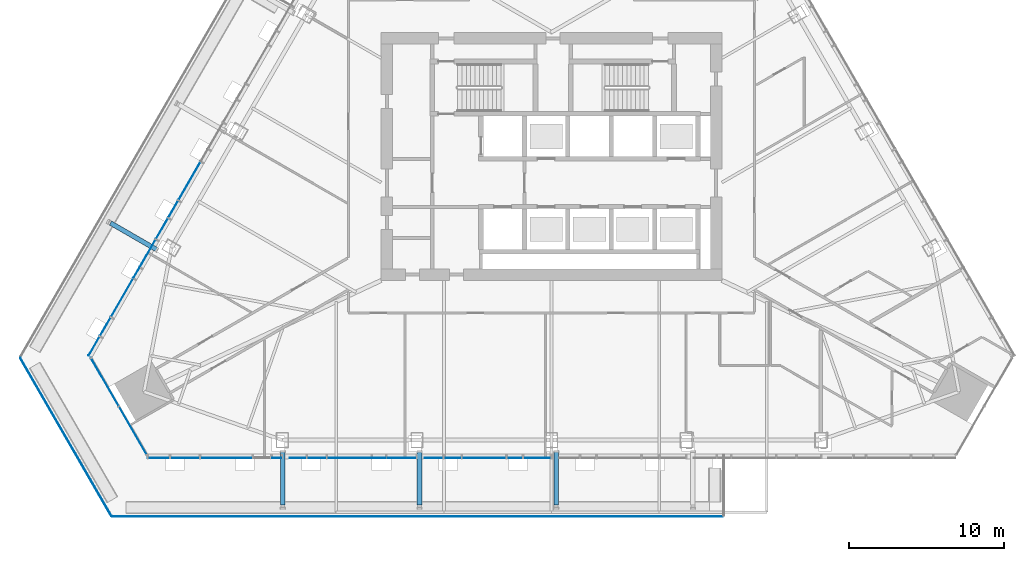
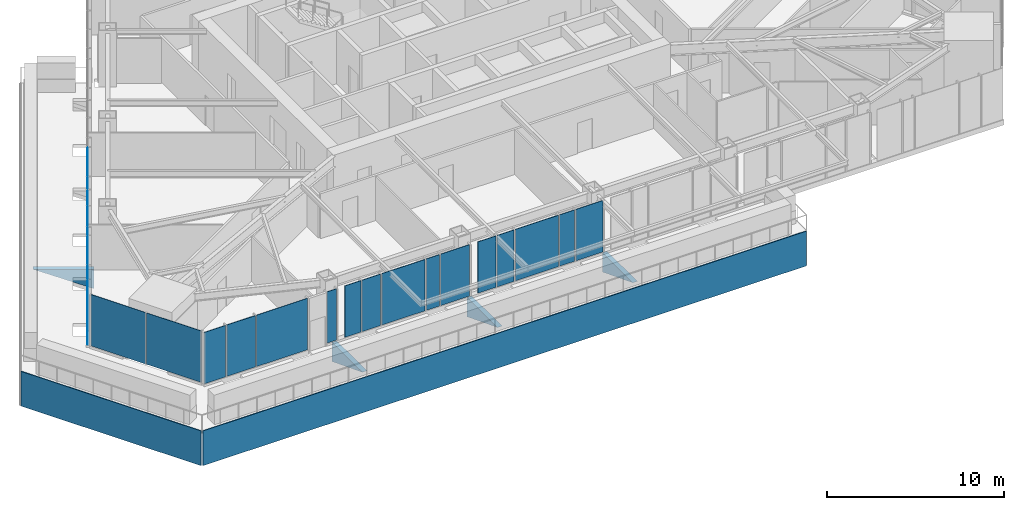
# One storey, part 10 of 23: 30 plates, 3 elements without a shape of their own.
"""IFC4 building model written with IfcOpenShell, lengths in metres."""

from ifc_helpers import new_model, si_unit, direction, frame, origin, place, context, subcontext, project, spatial, polyline, outline, extrude, material, layer, layer_set, type_object, element, aggregate, save


model = new_model("IFC4")

# Units and contexts
model_context = context("Model", 3, precision=1e-05, world=origin(), true_north=direction((0.0, 1.0)))
body_context = subcontext(model_context, "Body", "Model", "MODEL_VIEW")
ifc_project = project(units=[si_unit("LENGTHUNIT", "METRE"), si_unit("AREAUNIT", "SQUARE_METRE"), si_unit("VOLUMEUNIT", "CUBIC_METRE"), si_unit("PLANEANGLEUNIT", "RADIAN"), si_unit("MASSUNIT", "GRAM", prefix="KILO")], contexts=[model_context])

# Site, building, storey
site_placement = place(None, origin())
site = spatial("IfcSite", under=ifc_project, at=site_placement, CompositionType="ELEMENT")
building_placement = place(site_placement, origin())
building = spatial("IfcBuilding", under=site, at=building_placement, Name="Firuza Gate Tower and Library", CompositionType="ELEMENT")
storey_placement = place(building_placement, frame((0.0, 0.0, 190.89990234375)))
storey = spatial("IfcBuildingStorey", under=building, at=storey_placement, Name="L44", CompositionType="ELEMENT", Elevation=190.89990234375)

# Curtain wall, plates
ifc_material_1 = material(Name="Aluminium 6063-T6", Category="aluminium")
ifc_layer_1 = layer(ifc_material_1, 0.14990234375)
ifc_layer_set_1 = layer_set([ifc_layer_1], Name="Corner curtain wall, chamfers")
curtain_wall_type_1 = type_object("IfcCurtainWallType", Name="Corner curtain wall, chamfers", PredefinedType="NOTDEFINED", material=ifc_layer_set_1)
placement = place(storey_placement, origin())
curtain_wall_1 = element("IfcCurtainWall", 1, at=placement, inside=storey, type_object=curtain_wall_type_1, Name="CW4 L44 SW corner", PredefinedType="NOTDEFINED")
ifc_material_2 = material(Name="Fritted glass", Category="glass")
ifc_layer_2 = layer(ifc_material_2, 0.030029296875)
ifc_layer_set_2 = layer_set([ifc_layer_2], Name="Fritted glass unit, corners")
plate_type_1 = type_object("IfcPlateType", Name="Fritted glass unit, corners", PredefinedType="CURTAIN_PANEL", material=ifc_layer_set_2)
plate_1_placement = place(storey_placement, frame((45.262939453125, 61.9921875, 0.150146484375), z_axis=(-0.866016723041, -0.500015035186, 0.0), x_axis=(0.500015035186, -0.866016723041, 0.0)))
plate_1 = element("IfcPlate", 2, at=plate_1_placement, type_object=plate_type_1, Name="Glass unit", PredefinedType="CURTAIN_PANEL", context=body_context, shape_type="SweptSolid", body=[
    extrude(outline(polyline([(0.0, 0.0), (3.5633694106530625, 0.0), (3.5633694106530625, 3.550048828125), (0.0, 3.550048828125), (0.0, 0.0)])), origin(), (0.0, 0.0, -1.0), 0.030029296875),
])
plate_2_placement = place(storey_placement, frame((47.084716796875, 58.8369140625, 0.150146484375), z_axis=(-0.866016723041, -0.500015035186, 0.0), x_axis=(0.500015035186, -0.866016723041, 0.0)))
plate_2 = element("IfcPlate", 3, at=plate_2_placement, type_object=plate_type_1, Name="Glass unit", PredefinedType="CURTAIN_PANEL", context=body_context, shape_type="SweptSolid", body=[
    extrude(outline(polyline([(0.0, 0.0), (3.5633694106530625, 0.0), (3.5633694106530625, 3.550048828125), (0.0, 3.550048828125), (0.0, 0.0)])), origin(), (0.0, 0.0, -1.0), 0.030029296875),
])
aggregate(curtain_wall_1, [plate_1, plate_2])

ifc_material_3 = material(Name="Aluminium 6063-T6", Category="aluminium")
ifc_layer_3 = layer(ifc_material_3, 0.14990234375)
ifc_layer_set_3 = layer_set([ifc_layer_3], Name="Unitised curtain wall, hotel")
curtain_wall_type_2 = type_object("IfcCurtainWallType", Name="Unitised curtain wall, hotel", PredefinedType="NOTDEFINED", material=ifc_layer_set_3)
curtain_wall_2 = element("IfcCurtainWall", 4, at=placement, inside=storey, type_object=curtain_wall_type_2, Name="CW2 L44 S face", PredefinedType="NOTDEFINED")
ifc_material_4 = material(Name="Fritted glass", Category="glass")
ifc_layer_4 = layer(ifc_material_4, 0.030029296875)
ifc_layer_set_4 = layer_set([ifc_layer_4], Name="Fritted glass unit, hotel")
plate_type_2 = type_object("IfcPlateType", Name="Fritted glass unit, hotel", PredefinedType="CURTAIN_PANEL", material=ifc_layer_set_4)
plate_3_placement = place(storey_placement, frame((48.939453125, 55.538818359375, 0.150146484375), z_axis=(0.0, -1.0, 0.0), x_axis=(1.0, 0.0, 0.0)))
plate_3 = element("IfcPlate", 5, at=plate_3_placement, type_object=plate_type_2, Name="Glass unit", PredefinedType="CURTAIN_PANEL", context=body_context, shape_type="SweptSolid", body=[
    extrude(outline(polyline([(0.0, 0.0), (1.392578125, 0.0), (1.392578125, 3.550048828125), (0.0, 3.550048828125), (0.0, 0.0)])), origin(), (0.0, 0.0, -1.0), 0.030029296875),
])
plate_4_placement = place(storey_placement, frame((56.959228515625, 55.538818359375, 0.150146484375), z_axis=(0.0, -1.0, 0.0), x_axis=(1.0, 0.0, 0.0)))
plate_4 = element("IfcPlate", 6, at=plate_4_placement, type_object=plate_type_2, Name="Glass unit", PredefinedType="CURTAIN_PANEL", context=body_context, shape_type="SweptSolid", body=[
    extrude(outline(polyline([(0.0, 0.0), (0.600341796875, 0.0), (0.600341796875, 3.550048828125), (0.0, 3.550048828125), (0.0, 0.0)])), origin(), (0.0, 0.0, -1.0), 0.030029296875),
])
plate_5_placement = place(storey_placement, frame((58.115478515625, 55.538818359375, 0.150146484375), z_axis=(0.0, -1.0, 0.0), x_axis=(1.0, 0.0, 0.0)))
plate_5 = element("IfcPlate", 7, at=plate_5_placement, type_object=plate_type_2, Name="Glass unit", PredefinedType="CURTAIN_PANEL", context=body_context, shape_type="SweptSolid", body=[
    extrude(outline(polyline([(0.0, 0.0), (1.04052734375, 0.0), (1.04052734375, 3.550048828125), (0.0, 3.550048828125), (0.0, 0.0)])), origin(), (0.0, 0.0, -1.0), 0.030029296875),
])
plate_6_placement = place(storey_placement, frame((64.37255859375, 55.538818359375, 0.150146484375), z_axis=(0.0, -1.0, 0.0), x_axis=(1.0, 0.0, 0.0)))
plate_6 = element("IfcPlate", 8, at=plate_6_placement, type_object=plate_type_2, Name="Glass unit", PredefinedType="CURTAIN_PANEL", context=body_context, shape_type="SweptSolid", body=[
    extrude(outline(polyline([(0.0, 0.0), (1.88720703125, 0.0), (1.88720703125, 3.550048828125), (0.0, 3.550048828125), (0.0, 0.0)])), origin(), (0.0, 0.0, -1.0), 0.030029296875),
])
plate_7_placement = place(storey_placement, frame((66.80126953125, 55.538818359375, 0.150146484375), z_axis=(0.0, -1.0, 0.0), x_axis=(1.0, 0.0, 0.0)))
plate_7 = element("IfcPlate", 9, at=plate_7_placement, type_object=plate_type_2, Name="Glass unit", PredefinedType="CURTAIN_PANEL", context=body_context, shape_type="SweptSolid", body=[
    extrude(outline(polyline([(0.0, 0.0), (1.178466796875, 0.0), (1.178466796875, 3.550048828125), (0.0, 3.550048828125), (0.0, 0.0)])), origin(), (0.0, 0.0, -1.0), 0.030029296875),
])
plate_8_placement = place(storey_placement, frame((73.1962890625, 55.538818359375, 0.150146484375), z_axis=(0.0, -1.0, 0.0), x_axis=(1.0, 0.0, 0.0)))
plate_8 = element("IfcPlate", 10, at=plate_8_placement, type_object=plate_type_2, Name="Glass unit", PredefinedType="CURTAIN_PANEL", context=body_context, shape_type="SweptSolid", body=[
    extrude(outline(polyline([(0.0, 0.0), (1.763671875, 0.0), (1.763671875, 3.550048828125), (0.0, 3.550048828125), (0.0, 0.0)])), origin(), (0.0, 0.0, -1.0), 0.030029296875),
])

curtain_wall_3 = element("IfcCurtainWall", 11, at=placement, inside=storey, type_object=curtain_wall_type_2, Name="CW2 L44 W face", PredefinedType="NOTDEFINED")
plate_9_placement = place(storey_placement, frame((50.22412109375, 71.00927734375, 0.150146484375), z_axis=(-0.865995223251, 0.500052270574, 0.0), x_axis=(-0.500052270574, -0.865995223251, 0.0)))
plate_9 = element("IfcPlate", 12, at=plate_9_placement, type_object=plate_type_2, Name="Glass unit", PredefinedType="CURTAIN_PANEL", context=body_context, shape_type="SweptSolid", body=[
    extrude(outline(polyline([(0.0, 0.0), (1.5164430318043731, 0.0), (1.5164430318043731, 3.550048828125), (0.0, 3.550048828125), (0.0, 0.0)])), origin(), (0.0, 0.0, -1.0), 0.030029296875),
])
plate_10_placement = place(storey_placement, frame((49.426025390625, 69.626708984375, 0.150146484375), z_axis=(-0.865985419867, 0.500069247782, 0.0), x_axis=(-0.500069247782, -0.865985419867, 0.0)))
plate_10 = element("IfcPlate", 13, at=plate_10_placement, type_object=plate_type_2, Name="Glass unit", PredefinedType="CURTAIN_PANEL", context=body_context, shape_type="SweptSolid", body=[
    extrude(outline(polyline([(0.0, 0.0), (2.0109519608221467, 0.0), (2.0109519608221467, 3.550048828125), (0.0, 3.550048828125), (0.0, 0.0)])), origin(), (0.0, 0.0, -1.0), 0.030029296875),
])
plate_11_placement = place(storey_placement, frame((45.812255859375, 63.36767578125, 0.150146484375), z_axis=(-0.866001699761, 0.500041054325, 0.0), x_axis=(-0.500041054325, -0.866001699761, 0.0)))
plate_11 = element("IfcPlate", 14, at=plate_11_placement, type_object=plate_type_2, Name="Glass unit", PredefinedType="CURTAIN_PANEL", context=body_context, shape_type="SweptSolid", body=[
    extrude(outline(polyline([(0.0, 0.0), (1.3929520328393656, 0.0), (1.3929520328393656, 3.550048828125), (0.0, 3.550048828125), (0.0, 0.0)])), origin(), (0.0, 0.0, -1.0), 0.030029296875),
])

# Plate
ifc_material_5 = material(Name="Glazed ceramic tile")
ifc_layer_5 = layer(ifc_material_5, 0.030029296875)
ifc_layer_set_5 = layer_set([ifc_layer_5], Name="Opaque ceramic panel, hotel")
plate_type_3 = type_object("IfcPlateType", Name="Opaque ceramic panel, hotel", PredefinedType="CURTAIN_PANEL", material=ifc_layer_set_5)
plate_12_placement = place(storey_placement, frame((50.412109375, 55.538818359375, 0.150146484375), z_axis=(0.0, -1.0, 0.0), x_axis=(1.0, 0.0, 0.0)))
plate_12 = element("IfcPlate", 15, at=plate_12_placement, type_object=plate_type_3, Name="Opaque ceramic panel", PredefinedType="CURTAIN_PANEL", context=body_context, shape_type="SweptSolid", body=[
    extrude(outline(polyline([(0.0, 0.0), (1.857177734375, 0.0), (1.857177734375, 3.550048828125), (0.0, 3.550048828125), (0.0, 0.0)])), origin(), (0.0, 0.0, -1.0), 0.030029296875),
])

plate_13_placement = place(storey_placement, frame((52.349365234375, 55.538818359375, 0.150146484375), z_axis=(0.0, -1.0, 0.0), x_axis=(1.0, 0.0, 0.0)))
plate_13 = element("IfcPlate", 16, at=plate_13_placement, type_object=plate_type_3, Name="Opaque ceramic panel", PredefinedType="CURTAIN_PANEL", context=body_context, shape_type="SweptSolid", body=[
    extrude(outline(polyline([(0.0, 0.0), (3.330078125, 0.0), (3.330078125, 3.550048828125), (0.0, 3.550048828125), (0.0, 0.0)])), origin(), (0.0, 0.0, -1.0), 0.030029296875),
])

plate_14_placement = place(storey_placement, frame((59.236083984375, 55.538818359375, 0.150146484375), z_axis=(0.0, -1.0, 0.0), x_axis=(1.0, 0.0, 0.0)))
plate_14 = element("IfcPlate", 17, at=plate_14_placement, type_object=plate_type_3, Name="Opaque ceramic panel", PredefinedType="CURTAIN_PANEL", context=body_context, shape_type="SweptSolid", body=[
    extrude(outline(polyline([(0.0, 0.0), (1.2236328125, 0.0), (1.2236328125, 3.550048828125), (0.0, 3.550048828125), (0.0, 0.0)])), origin(), (0.0, 0.0, -1.0), 0.030029296875),
])

plate_15_placement = place(storey_placement, frame((60.53955078125, 55.538818359375, 0.150146484375), z_axis=(0.0, -1.0, 0.0), x_axis=(1.0, 0.0, 0.0)))
plate_15 = element("IfcPlate", 18, at=plate_15_placement, type_object=plate_type_3, Name="Opaque ceramic panel", PredefinedType="CURTAIN_PANEL", context=body_context, shape_type="SweptSolid", body=[
    extrude(outline(polyline([(0.0, 0.0), (2.820068359375, 0.0), (2.820068359375, 3.550048828125), (0.0, 3.550048828125), (0.0, 0.0)])), origin(), (0.0, 0.0, -1.0), 0.030029296875),
])

plate_16_placement = place(storey_placement, frame((63.439697265625, 55.538818359375, 0.150146484375), z_axis=(0.0, -1.0, 0.0), x_axis=(1.0, 0.0, 0.0)))
plate_16 = element("IfcPlate", 19, at=plate_16_placement, type_object=plate_type_3, Name="Opaque ceramic panel", PredefinedType="CURTAIN_PANEL", context=body_context, shape_type="SweptSolid", body=[
    extrude(outline(polyline([(0.0, 0.0), (0.852783203125, 0.0), (0.852783203125, 3.550048828125), (0.0, 3.550048828125), (0.0, 0.0)])), origin(), (0.0, 0.0, -1.0), 0.030029296875),
])

plate_17_placement = place(storey_placement, frame((68.059814453125, 55.538818359375, 0.150146484375), z_axis=(0.0, -1.0, 0.0), x_axis=(1.0, 0.0, 0.0)))
plate_17 = element("IfcPlate", 20, at=plate_17_placement, type_object=plate_type_3, Name="Opaque ceramic panel", PredefinedType="CURTAIN_PANEL", context=body_context, shape_type="SweptSolid", body=[
    extrude(outline(polyline([(0.0, 0.0), (1.10009765625, 0.0), (1.10009765625, 3.550048828125), (0.0, 3.550048828125), (0.0, 0.0)])), origin(), (0.0, 0.0, -1.0), 0.030029296875),
])

plate_18_placement = place(storey_placement, frame((69.23974609375, 55.538818359375, 0.150146484375), z_axis=(0.0, -1.0, 0.0), x_axis=(1.0, 0.0, 0.0)))
plate_18 = element("IfcPlate", 21, at=plate_18_placement, type_object=plate_type_3, Name="Opaque ceramic panel", PredefinedType="CURTAIN_PANEL", context=body_context, shape_type="SweptSolid", body=[
    extrude(outline(polyline([(0.0, 0.0), (2.820068359375, 0.0), (2.820068359375, 3.550048828125), (0.0, 3.550048828125), (0.0, 0.0)])), origin(), (0.0, 0.0, -1.0), 0.030029296875),
])

plate_19_placement = place(storey_placement, frame((72.139892578125, 55.538818359375, 0.150146484375), z_axis=(0.0, -1.0, 0.0), x_axis=(1.0, 0.0, 0.0)))
plate_19 = element("IfcPlate", 22, at=plate_19_placement, type_object=plate_type_3, Name="Opaque ceramic panel", PredefinedType="CURTAIN_PANEL", context=body_context, shape_type="SweptSolid", body=[
    extrude(outline(polyline([(0.0, 0.0), (0.976318359375, 0.0), (0.976318359375, 3.550048828125), (0.0, 3.550048828125), (0.0, 0.0)])), origin(), (0.0, 0.0, -1.0), 0.030029296875),
])

aggregate(curtain_wall_2, [plate_3, plate_12, plate_13, plate_4, plate_5, plate_14, plate_15, plate_16, plate_6, plate_7, plate_17, plate_18, plate_19, plate_8])

plate_20_placement = place(storey_placement, frame((52.325927734375, 74.64990234375, 0.150146484375), z_axis=(-0.866055844559, 0.499947271324, 0.0), x_axis=(-0.499947271324, -0.866055844559, 0.0)))
plate_20 = element("IfcPlate", 23, at=plate_20_placement, type_object=plate_type_3, Name="Opaque ceramic panel", PredefinedType="CURTAIN_PANEL", context=body_context, shape_type="SweptSolid", body=[
    extrude(outline(polyline([(0.0, 0.0), (2.820121621306016, 0.0), (2.820121621306016, 3.550048828125), (0.0, 3.550048828125), (0.0, 0.0)])), origin(), (0.0, 0.0, -1.0), 0.030029296875),
])

plate_21_placement = place(storey_placement, frame((50.8759765625, 72.13818359375, 0.150146484375), z_axis=(-0.865999496279, 0.500044870432, 0.0), x_axis=(-0.500044870432, -0.865999496279, 0.0)))
plate_21 = element("IfcPlate", 24, at=plate_21_placement, type_object=plate_type_3, Name="Opaque ceramic panel", PredefinedType="CURTAIN_PANEL", context=body_context, shape_type="SweptSolid", body=[
    extrude(outline(polyline([(0.0, 0.0), (1.2235230124881236, 0.0), (1.2235230124881236, 3.550048828125001), (0.0, 3.550048828125001), (0.0, 0.0)])), origin(), (0.0, 0.0, -1.0), 0.030029296875),
])

plate_22_placement = place(storey_placement, frame((48.38037109375, 67.81591796875, 0.150146484375), z_axis=(-0.866029434536, 0.499993018469, 0.0), x_axis=(-0.499993018469, -0.866029434536, 0.0)))
plate_22 = element("IfcPlate", 25, at=plate_22_placement, type_object=plate_type_3, Name="Opaque ceramic panel", PredefinedType="CURTAIN_PANEL", context=body_context, shape_type="SweptSolid", body=[
    extrude(outline(polyline([(0.0, 0.0), (0.7290140855184541, 0.0), (0.7290140855184541, 3.550048828125), (0.0, 3.550048828125), (0.0, 0.0)])), origin(), (0.0, 0.0, -1.0), 0.030029296875),
])

plate_23_placement = place(storey_placement, frame((47.975830078125, 67.115234375, 0.150146484375), z_axis=(-0.866055844559, 0.499947271324, 0.0), x_axis=(-0.499947271324, -0.866055844559, 0.0)))
plate_23 = element("IfcPlate", 26, at=plate_23_placement, type_object=plate_type_3, Name="Opaque ceramic panel", PredefinedType="CURTAIN_PANEL", context=body_context, shape_type="SweptSolid", body=[
    extrude(outline(polyline([(0.0, 0.0), (2.820121621306016, 0.0), (2.820121621306016, 3.550048828125), (0.0, 3.550048828125), (0.0, 0.0)])), origin(), (0.0, 0.0, -1.0), 0.030029296875),
])

plate_24_placement = place(storey_placement, frame((46.52587890625, 64.603515625, 0.150146484375), z_axis=(-0.866037718234, 0.499978670142, 0.0), x_axis=(-0.499978670142, -0.866037718234, 0.0)))
plate_24 = element("IfcPlate", 27, at=plate_24_placement, type_object=plate_type_3, Name="Opaque ceramic panel", PredefinedType="CURTAIN_PANEL", context=body_context, shape_type="SweptSolid", body=[
    extrude(outline(polyline([(0.0, 0.0), (1.347225441005746, 0.0), (1.347225441005746, 3.550048828125), (0.0, 3.550048828125), (0.0, 0.0)])), origin(), (0.0, 0.0, -1.0), 0.030029296875),
])

aggregate(curtain_wall_3, [plate_20, plate_21, plate_9, plate_10, plate_22, plate_23, plate_24, plate_11])

# Plates
ifc_material_6 = material(Name="Steel S355", Category="steel")
ifc_layer_6 = layer(ifc_material_6, 0.300048828125)
ifc_layer_set_6 = layer_set([ifc_layer_6], Name="Tray bracket web 300 Steel S355")
plate_type_4 = type_object("IfcPlateType", Name="Tray bracket web 300 Steel S355", PredefinedType="SHEET", material=ifc_layer_set_6)
for number, where, z_axis, x_axis, name in (
    (28, (57.802001953125, 55.925048828125, -0.199951171875), (1.0, 0.0, 0.0), (0.0, -1.0, 0.0), "Tray bracket web L44 col:L43:S1"),
    (29, (66.6259765625, 55.925048828125, -0.199951171875), (1.0, 0.0, 0.0), (0.0, -1.0, 0.0), "Tray bracket web L44 col:L43:S2"),
    (30, (75.449951171875, 55.925048828125, -0.199951171875), (1.0, 0.0, 0.0), (0.0, -1.0, 0.0), "Tray bracket web L44 col:L43:S3"),
):
    element("IfcPlate", number, at=place(storey_placement, frame(where, z_axis=z_axis, x_axis=x_axis)), inside=storey, type_object=plate_type_4, Name=name, PredefinedType="SHEET", context=body_context, shape_type="SweptSolid", body=[
        extrude(outline(polyline([(0.0, 0.0), (3.429931640625, 0.0), (0.0, 1.333984375), (0.0, 0.0)])), origin(), (0.0, 0.0, -1.0), 0.300048828125),
    ])
plate_25_placement = place(storey_placement, frame((49.430908203125, 68.864013671875, -0.199951171875), z_axis=(-0.500081895979, -0.865978115955, 0.0), x_axis=(-0.865978115955, 0.500081895979, 0.0)))
element("IfcPlate", 31, at=plate_25_placement, inside=storey, type_object=plate_type_4, Name="Tray bracket web L44 col:L43:W5", PredefinedType="SHEET", context=body_context, shape_type="SweptSolid", body=[
    extrude(outline(polyline([(0.0, 0.0), (3.429614038049955, 0.0), (0.0, 1.333984375), (0.0, 0.0)])), origin(), (0.0, 0.0, -1.0), 0.300048828125),
])
ifc_material_7 = material(Name="Aluminium 6063-T6", Category="aluminium")
ifc_layer_7 = layer(ifc_material_7, 0.050048828125)
ifc_layer_set_7 = layer_set([ifc_layer_7], Name="Tray fascia panel 50")
plate_type_5 = type_object("IfcPlateType", Name="Tray fascia panel 50", PredefinedType="SHEET", material=ifc_layer_set_7)
plate_26_placement = place(storey_placement, frame((40.696044921875, 61.98291015625, -2.39990234375), z_axis=(-0.866031718744, -0.49998906201, 0.0), x_axis=(0.49998906201, -0.866031718744, 0.0)))
element("IfcPlate", 32, at=plate_26_placement, inside=storey, type_object=plate_type_5, Name="Tray fascia L44 2", PredefinedType="SHEET", context=body_context, shape_type="SweptSolid", body=[
    extrude(outline(polyline([(0.0, 0.0), (11.758069719308214, 0.0), (11.758069719308214, 2.39990234375), (0.0, 2.39990234375), (0.0, 0.0)])), origin(), (0.0, 0.0, -1.0), 0.050048828125),
])
plate_27_placement = place(storey_placement, frame((46.6630859375, 51.7490234375, -2.39990234375), z_axis=(0.0, -1.0, 0.0), x_axis=(1.0, 0.0, 0.0)))
element("IfcPlate", 33, at=plate_27_placement, inside=storey, type_object=plate_type_5, Name="Tray fascia L44 3", PredefinedType="SHEET", context=body_context, shape_type="SweptSolid", body=[
    extrude(outline(polyline([(0.0, 0.0), (39.392822265625, 0.0), (39.392822265625, 2.39990234375), (0.0, 2.39990234375), (0.0, 0.0)])), origin(), (0.0, 0.0, -1.0), 0.050048828125),
])

save(model, "model.ifc")
